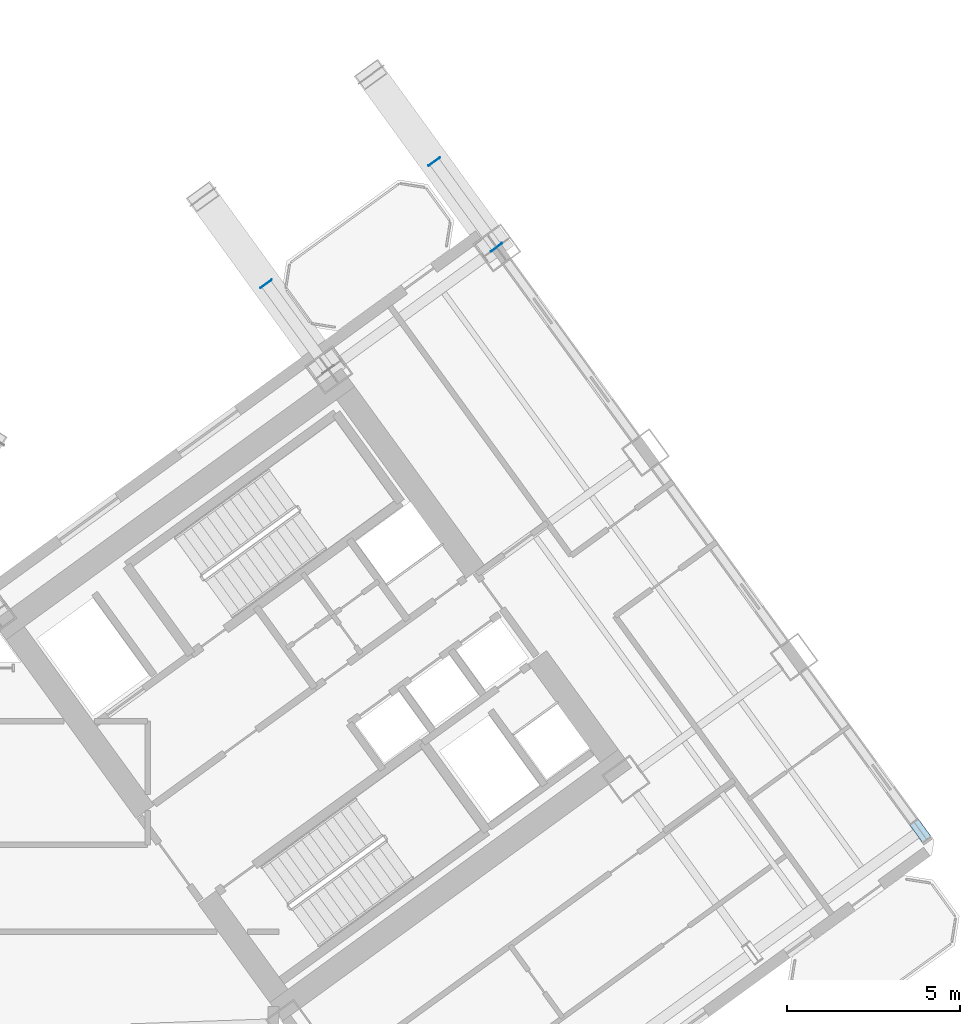
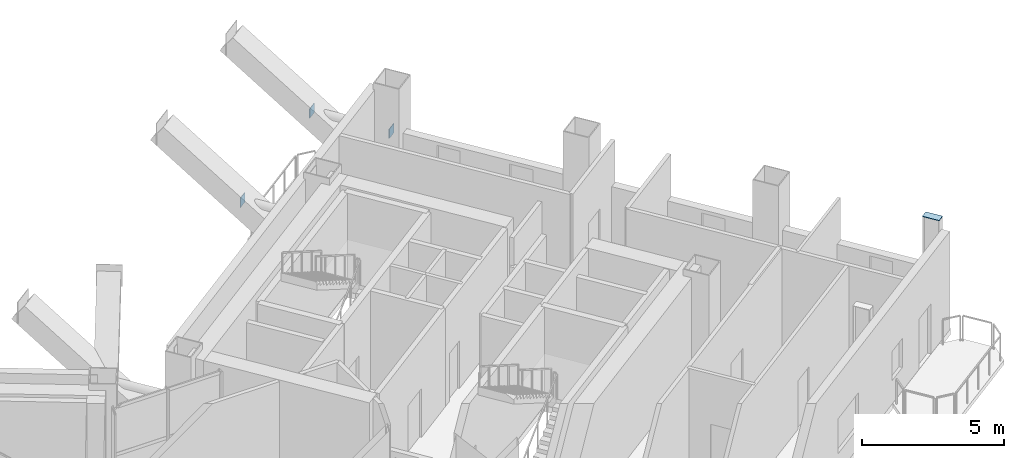
# One storey, part 20 of 30: 4 plates.
"""IFC4 building model written with IfcOpenShell, lengths in metres."""

from ifc_helpers import new_model, si_unit, direction, frame, origin, origin_2d, place, context, subcontext, project, spatial, rectangle, extrude, source, transform, mapped, material, layer, layer_set, type_object, element, save


model = new_model("IFC4")

# Units and contexts
model_context = context("Model", 3, precision=1e-05, world=origin(), true_north=direction((0.0, 1.0)))
body_context = subcontext(model_context, "Body", "Model", "MODEL_VIEW")
ifc_project = project(units=[si_unit("LENGTHUNIT", "METRE"), si_unit("AREAUNIT", "SQUARE_METRE"), si_unit("VOLUMEUNIT", "CUBIC_METRE"), si_unit("PLANEANGLEUNIT", "RADIAN"), si_unit("MASSUNIT", "GRAM", prefix="KILO")], contexts=[model_context])

# Site, building, storey
site_placement = place(None, origin())
site = spatial("IfcSite", under=ifc_project, at=site_placement, CompositionType="ELEMENT")
building_placement = place(site_placement, origin())
building = spatial("IfcBuilding", under=site, at=building_placement, Name="Tlacorven Tower", CompositionType="ELEMENT")
storey_placement = place(building_placement, frame((0.0, 0.0, 67.199951171875)))
storey = spatial("IfcBuildingStorey", under=building, at=storey_placement, Name="L17", CompositionType="ELEMENT", Elevation=67.199951171875)

# Plates
ifc_material = material(Name="Steel S460M", Category="steel")
ifc_layer = layer(ifc_material, 0.02392578125)
ifc_layer_set = layer_set([ifc_layer], Name="Steel S460M")
plate_type = type_object("IfcPlateType", Name="PL-CAP-END1", PredefinedType="USERDEFINED", material=ifc_layer_set)
shared_shape_1 = source(origin(), body_context, "Body", "SweptSolid", [
    extrude(rectangle(XDim=0.02392578125, YDim=0.40380859375, at=origin_2d()), origin(), (0.0, 0.0, 1.0), 0.40380859375),
])
for number, where, z_axis, x_axis, name in (
    (1, (52.021484375, 34.13037109375, 2.048095703125), (0.0, 0.0, 1.0), (-0.58778405524, 0.809017864083, 0.0), "L17 hollow end cap plate SBR-L17-E3 2"),
    (2, (58.67431640625, 35.181396484375, 2.048095703125), (0.0, 0.0, 1.0), (-0.587784424535, 0.809017595775, 0.0), "L17 hollow end cap plate SBR-L17-E4 1"),
    (3, (56.875732421875, 37.656982421875, 2.048095703125), (0.0, 0.0, 1.0), (-0.587784424535, 0.809017595775, 0.0), "L17 hollow end cap plate SBR-L17-E4 2"),
):
    element("IfcPlate", number, at=place(storey_placement, frame(where, z_axis=z_axis, x_axis=x_axis)), inside=storey, type_object=plate_type, Name=name, ObjectType="END PLATE", PredefinedType="USERDEFINED", context=body_context, shape_type="MappedRepresentation", body=[
        mapped(shared_shape_1, transform((0.0, 0.0, 0.0), scale=1.0)),
    ])
shared_shape_2 = source(origin(), body_context, "Body", "SweptSolid", [
    extrude(rectangle(XDim=0.300048828125, YDim=0.64990234375, at=origin_2d()), origin(), (0.0, 0.0, 1.0), 0.02392578125),
])
plate_placement = place(storey_placement, frame((70.912109375, 18.337646484375, 4.498046875), z_axis=(0.0, 0.0, 1.0), x_axis=(0.809016994375, 0.587785252292, 0.0)))
element("IfcPlate", 4, at=plate_placement, inside=storey, type_object=plate_type, Name="L17 Hollow Column Top Cap Plate COL-L17-E4-1", ObjectType="END PLATE", PredefinedType="USERDEFINED", context=body_context, shape_type="MappedRepresentation", body=[
    mapped(shared_shape_2, transform((0.0, 0.0, 0.0), scale=1.0)),
])

save(model, "model.ifc")
